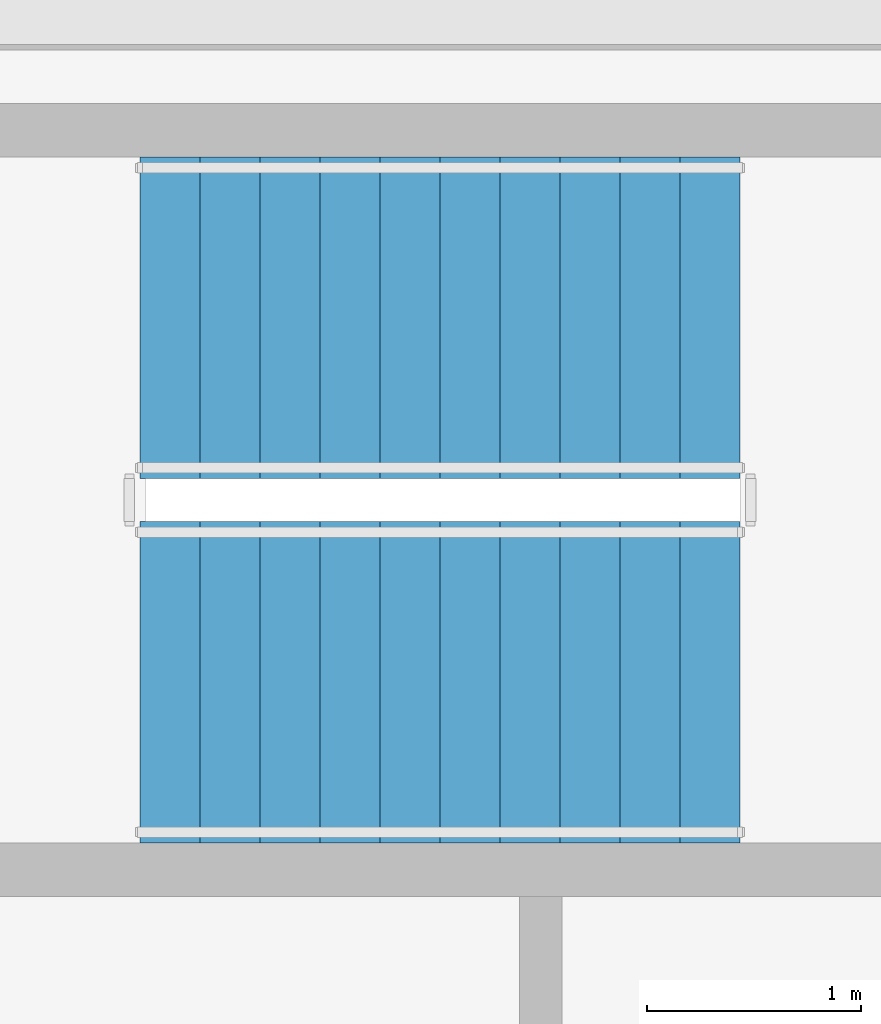
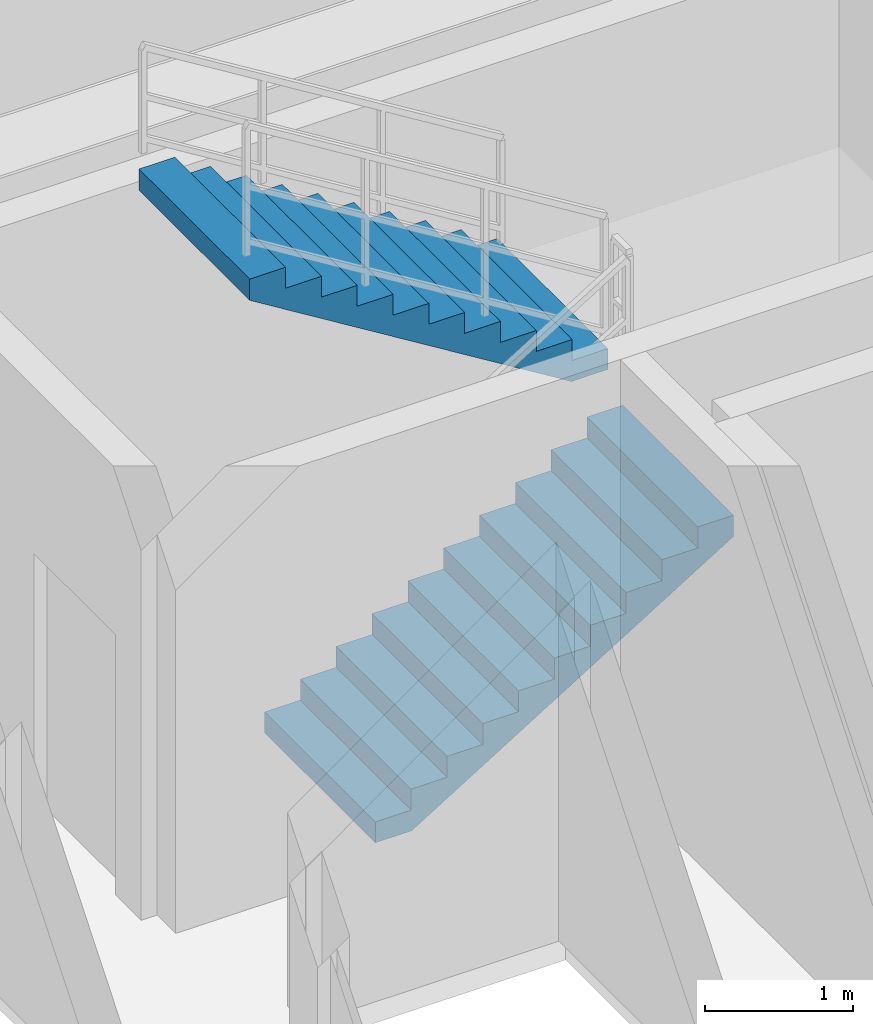
# One storey, part 6 of 10: 2 stair flights, 1 element without a shape of its own.
"""IFC4 building model written with IfcOpenShell, lengths in metres."""

import ifcopenshell
import ifcopenshell.guid

model = None  # the IFC model being written
_history = None  # IfcOwnerHistory: only IFC2X3 demands one
_inside = {}  # id of a spatial element -> (the spatial element, [elements in it])
_under = {}  # id of a project, library or spatial element -> (it, [spatial elements below it])
_declared = {}  # id of a project -> (the project, [libraries it declares])
_typed = {}  # id of a type object -> (the type object, [elements of that type])
_made_of = {}  # id of a material, layer set ... -> (it, [elements and type objects made of it])


def new_model(schema):
    """Start an empty IFC model of exactly this schema.

    Asked for "IFC4X3", IfcOpenShell would pick the latest addendum, in which some entities
    have other attributes; the version numbers below select the first issue.
    IFC2X3 requires an IfcOwnerHistory on every rooted entity: one is made here for all.
    """
    global model, _history
    if schema == "IFC4X3":
        model = ifcopenshell.file(schema_version=(4, 3, 0, 0))
    else:
        model = ifcopenshell.file(schema=schema)
    _inside.clear()
    _under.clear()
    _declared.clear()
    _typed.clear()
    _made_of.clear()
    _history = None
    if model.schema == "IFC2X3":
        org = make("IfcOrganization", Name="unknown")
        user = make(
            "IfcPersonAndOrganization",
            ThePerson=make("IfcPerson", FamilyName="unknown"),
            TheOrganization=org,
        )
        app = make(
            "IfcApplication",
            ApplicationDeveloper=org,
            Version="unknown",
            ApplicationFullName="unknown",
            ApplicationIdentifier="unknown",
        )
        _history = make(
            "IfcOwnerHistory",
            OwningUser=user,
            OwningApplication=app,
            ChangeAction="ADDED",
            CreationDate=0,
        )
    return model


def make(cls, **values):
    """One entity of the class cls with the attributes given. An attribute that is None is left unset."""
    return model.create_entity(
        cls, **{name: value for name, value in values.items() if value is not None}
    )


def rooted(cls, **values):
    """An entity with a GlobalId (a new one), such as an element, a storey or a relation."""
    return make(cls, GlobalId=ifcopenshell.guid.new(), OwnerHistory=_history, **values)


def si_unit(unit_type, name, prefix=None):
    """IfcSIUnit, for example si_unit("LENGTHUNIT", "METRE", prefix="MILLI")."""
    return make("IfcSIUnit", UnitType=unit_type, Prefix=prefix, Name=name)


def assignment(units):
    """IfcUnitAssignment: the units of a project."""
    return None if units is None else make("IfcUnitAssignment", Units=units)


def point(xyz):
    """IfcCartesianPoint."""
    return None if xyz is None else make("IfcCartesianPoint", Coordinates=xyz)


def direction(xyz):
    """IfcDirection."""
    return None if xyz is None else make("IfcDirection", DirectionRatios=xyz)


def frame(location, z_axis=None, x_axis=None):
    """IfcAxis2Placement3D, a coordinate frame: its origin and axes. An axis left out is left unset."""
    return make(
        "IfcAxis2Placement3D",
        Location=point(location),
        Axis=direction(z_axis),
        RefDirection=direction(x_axis),
    )


def origin():
    """The frame at (0, 0, 0) with its axes left unset."""
    return frame((0.0, 0.0, 0.0))


def place(relative_to, where):
    """IfcLocalPlacement: puts the frame where relative to a parent placement (None: the world)."""
    return make(
        "IfcLocalPlacement", PlacementRelTo=relative_to, RelativePlacement=where
    )


def context(
    kind, dimensions, precision=None, world=None, true_north=None, identifier=None
):
    """IfcGeometricRepresentationContext, for example the 3D "Model" context."""
    return make(
        "IfcGeometricRepresentationContext",
        ContextIdentifier=identifier,
        ContextType=kind,
        CoordinateSpaceDimension=dimensions,
        Precision=precision,
        WorldCoordinateSystem=world,
        TrueNorth=true_north,
    )


def subcontext(parent, identifier, kind, view, scale=None):
    """IfcGeometricRepresentationSubContext, for example "Body" below "Model"."""
    return make(
        "IfcGeometricRepresentationSubContext",
        ContextIdentifier=identifier,
        ContextType=kind,
        ParentContext=parent,
        TargetScale=scale,
        TargetView=view,
    )


def project(units=None, contexts=None):
    """IfcProject with its units and contexts."""
    return rooted(
        "IfcProject",
        Name="project",
        RepresentationContexts=contexts,
        UnitsInContext=assignment(units),
    )


def spatial(cls, under=None, at=None, **own):
    """A site, building, storey or space (cls), placed at a placement, below another one or the project."""
    s = rooted(cls, ObjectPlacement=at, **own)
    if under is not None:
        _under.setdefault(under.id(), (under, []))[1].append(s)
    return s


def polyline(points):
    """IfcPolyline through the points."""
    return make("IfcPolyline", Points=[point(p) for p in points])


def outline(outer, holes=None, kind="AREA"):
    """IfcArbitraryClosedProfileDef: a profile drawn as a closed curve; with holes, ...WithVoids."""
    if holes is None:
        return make("IfcArbitraryClosedProfileDef", ProfileType=kind, OuterCurve=outer)
    return make(
        "IfcArbitraryProfileDefWithVoids",
        ProfileType=kind,
        OuterCurve=outer,
        InnerCurves=holes,
    )


def extrude(swept, where, along, depth):
    """IfcExtrudedAreaSolid: the profile swept, set in the frame where, extruded along a direction by depth."""
    return make(
        "IfcExtrudedAreaSolid",
        SweptArea=swept,
        Position=where,
        ExtrudedDirection=direction(along),
        Depth=depth,
    )


def shape(context_of_items, identifier, shape_type, items):
    """IfcShapeRepresentation: the items that make up one representation, for example the "Body"."""
    return make(
        "IfcShapeRepresentation",
        ContextOfItems=context_of_items,
        RepresentationIdentifier=identifier,
        RepresentationType=shape_type,
        Items=items,
    )


def material(Name=None, Category=None):
    """IfcMaterial."""
    return make("IfcMaterial", Name=Name, Category=Category)


def made_of(thing, what):
    """Note that an element or type object is made of a material, layer set ...; save() writes the relation."""
    if what is not None:
        _made_of.setdefault(what.id(), (what, []))[1].append(thing)
    return thing


def type_object(cls, material=None, **own):
    """A type object (cls), such as IfcWallType, which elements share."""
    return made_of(rooted(cls, **own), material)


def element(
    cls,
    number,
    at=None,
    inside=None,
    cuts=None,
    type_object=None,
    material=None,
    context=None,
    identifier="Body",
    shape_type=None,
    held_by="IfcProductDefinitionShape",
    body=None,
    shapes=None,
    **own,
):
    """One element of the class cls, such as IfcWall. Its Tag is "e" and its number.

    at: its placement. inside: the storey or other place that contains it. cuts: it is an
    opening in that element (IfcRelVoidsElement). A single representation is given by context,
    identifier, shape_type and body (its items); several are given by shapes. held_by: the class
    of the entity that holds the representations. save() writes the other relations.
    """
    e = rooted(cls, Tag="e%d" % number, ObjectPlacement=at, **own)
    if body is not None:
        shapes = [shape(context, identifier, shape_type, body)]
    if shapes is not None:
        e.Representation = make(held_by, Representations=shapes)
    if inside is not None:
        _inside.setdefault(inside.id(), (inside, []))[1].append(e)
    if cuts is not None:
        rooted(
            "IfcRelVoidsElement", RelatingBuildingElement=cuts, RelatedOpeningElement=e
        )
    if type_object is not None:
        _typed.setdefault(type_object.id(), (type_object, []))[1].append(e)
    return made_of(e, material)


def aggregate(whole, parts):
    """IfcRelAggregates: a whole, such as a stair, and the parts it consists of."""
    return rooted("IfcRelAggregates", RelatingObject=whole, RelatedObjects=parts)


def save(model, path):
    """Write the relations noted so far, then the file.

    IfcRelAggregates (storeys below a building ...), IfcRelContainedInSpatialStructure (elements
    in a storey), IfcRelDefinesByType, IfcRelAssociatesMaterial and IfcRelDeclares: one each for
    every whole, place, type object, material and project.
    """
    for whole, parts in _under.values():
        aggregate(whole, parts)
    for where, things in _inside.values():
        rooted(
            "IfcRelContainedInSpatialStructure",
            RelatedElements=things,
            RelatingStructure=where,
        )
    for kind, things in _typed.values():
        rooted("IfcRelDefinesByType", RelatedObjects=things, RelatingType=kind)
    for what, things in _made_of.values():
        rooted("IfcRelAssociatesMaterial", RelatedObjects=things, RelatingMaterial=what)
    for by, libraries in _declared.values():
        rooted("IfcRelDeclares", RelatingContext=by, RelatedDefinitions=libraries)
    model.write(path)


model = new_model("IFC4")

# Units and contexts
model_context = context("Model", 3, precision=1e-05, world=origin(), true_north=direction((0.0, 1.0)))
body_context = subcontext(model_context, "Body", "Model", "MODEL_VIEW")
ifc_project = project(units=[si_unit("LENGTHUNIT", "METRE"), si_unit("AREAUNIT", "SQUARE_METRE"), si_unit("VOLUMEUNIT", "CUBIC_METRE"), si_unit("PLANEANGLEUNIT", "RADIAN"), si_unit("MASSUNIT", "GRAM", prefix="KILO")], contexts=[model_context])

# Site, building, storey
site_placement = place(None, origin())
site = spatial("IfcSite", under=ifc_project, at=site_placement, CompositionType="ELEMENT")
building_placement = place(site_placement, origin())
building = spatial("IfcBuilding", under=site, at=building_placement, Name="Zulverin Broadcast Headquarters", CompositionType="ELEMENT")
storey_placement = place(building_placement, frame((0.0, 0.0, 36.39990234375)))
storey = spatial("IfcBuildingStorey", under=building, at=storey_placement, Name="L08", CompositionType="ELEMENT", Elevation=36.39990234375)

# Stair, stair flights
ifc_material = material(Name="Concrete C40/50", Category="concrete")
stair_type = type_object("IfcStairType", Name="ST-CORE-1500", PredefinedType="HALF_TURN_STAIR", material=ifc_material)
stair_placement = place(storey_placement, origin())
stair = element("IfcStair", 1, at=stair_placement, inside=storey, type_object=stair_type, Name="L08 Core Exit Stair ST-1", PredefinedType="HALF_TURN_STAIR")
stair_flight_type = type_object("IfcStairFlightType", Name="SF-CORE-1500", PredefinedType="STRAIGHT", material=ifc_material)
stair_flight_1_placement = place(storey_placement, frame((40.1298828125, 29.800048828125, 0.0), z_axis=(0.0, 0.0, 1.0), x_axis=(1.0, 0.0, 0.0)))
stair_flight_1 = element("IfcStairFlight", 2, at=stair_flight_1_placement, type_object=stair_flight_type, Name="ST-1 flight 1", NumberOfRisers=11, NumberOfTreads=10, PredefinedType="STRAIGHT", RiserHeight=0.172727273, TreadLength=0.28, context=body_context, shape_type="SweptSolid", body=[
    extrude(outline(polyline([(0.0, 0.0), (0.0, 0.172607421875), (0.280029296875, 0.172607421875), (0.280029296875, 0.345458984375), (0.56005859375, 0.345458984375), (0.56005859375, 0.51806640625), (0.840087890625, 0.51806640625), (0.840087890625, 0.69091796875), (1.1201171875, 0.69091796875), (1.1201171875, 0.863525390625), (1.39990234375, 0.863525390625), (1.39990234375, 1.036376953125), (1.679931640625, 1.036376953125), (1.679931640625, 1.208984375), (1.9599609375, 1.208984375), (1.9599609375, 1.3818359375), (2.239990234375, 1.3818359375), (2.239990234375, 1.554443359375), (2.52001953125, 1.554443359375), (2.52001953125, 1.727294921875), (2.800048828125, 1.727294921875), (2.800048828125, 1.89990234375), (2.800048828125, 1.551025390625), (0.285400390625, 0.0), (0.0, 0.0)])), frame((0.0, 0.75, 0.0), z_axis=(0.0, -1.0, 0.0), x_axis=(1.0, 0.0, 0.0)), (0.0, 0.0, 1.0), 1.5),
])
stair_flight_2_placement = place(storey_placement, frame((42.929931640625, 31.5, 1.900146484375), z_axis=(0.0, 0.0, 1.0), x_axis=(-1.0, 0.0, 0.0)))
stair_flight_2 = element("IfcStairFlight", 3, at=stair_flight_2_placement, type_object=stair_flight_type, Name="ST-1 flight 2", NumberOfRisers=11, NumberOfTreads=10, PredefinedType="STRAIGHT", RiserHeight=0.172727273, TreadLength=0.28, context=body_context, shape_type="SweptSolid", body=[
    extrude(outline(polyline([(0.0, 0.0), (0.0, 0.172607421875), (0.280029296875, 0.172607421875), (0.280029296875, 0.345458984375), (0.56005859375, 0.345458984375), (0.56005859375, 0.51806640625), (0.840087890625, 0.51806640625), (0.840087890625, 0.69091796875), (1.1201171875, 0.69091796875), (1.1201171875, 0.863525390625), (1.39990234375, 0.863525390625), (1.39990234375, 1.036376953125), (1.679931640625, 1.036376953125), (1.679931640625, 1.208984375), (1.9599609375, 1.208984375), (1.9599609375, 1.3818359375), (2.239990234375, 1.3818359375), (2.239990234375, 1.554443359375), (2.52001953125, 1.554443359375), (2.52001953125, 1.727294921875), (2.800048828125, 1.727294921875), (2.800048828125, 1.89990234375), (2.800048828125, 1.551025390625), (0.285400390625, 0.0), (0.0, 0.0)])), frame((0.0, 0.75, 0.0), z_axis=(0.0, -1.0, 0.0), x_axis=(1.0, 0.0, 0.0)), (0.0, 0.0, 1.0), 1.5),
])
aggregate(stair, [stair_flight_1, stair_flight_2])

save(model, "model.ifc")
